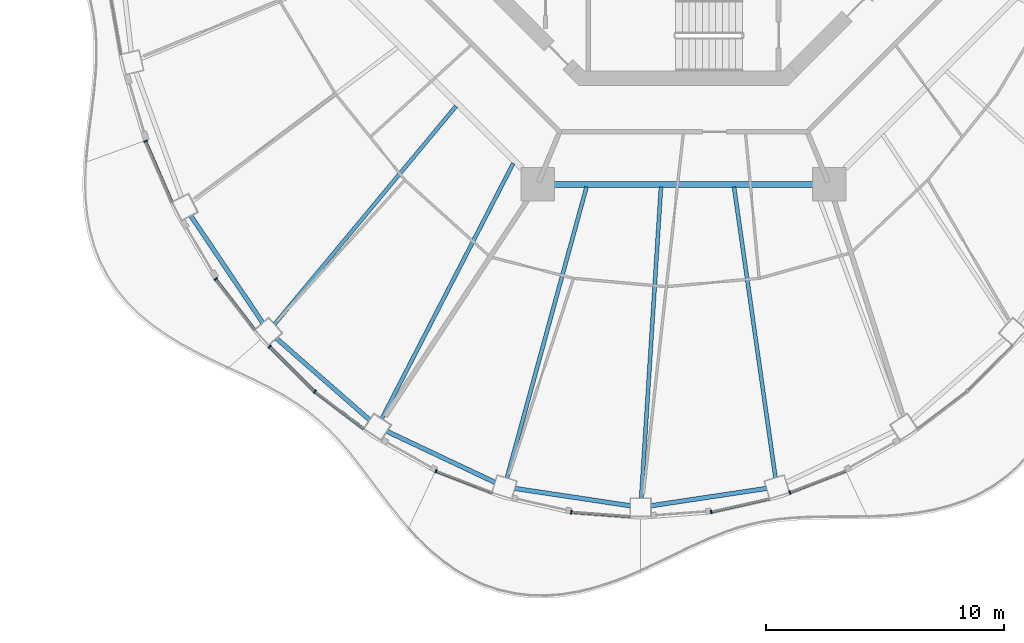
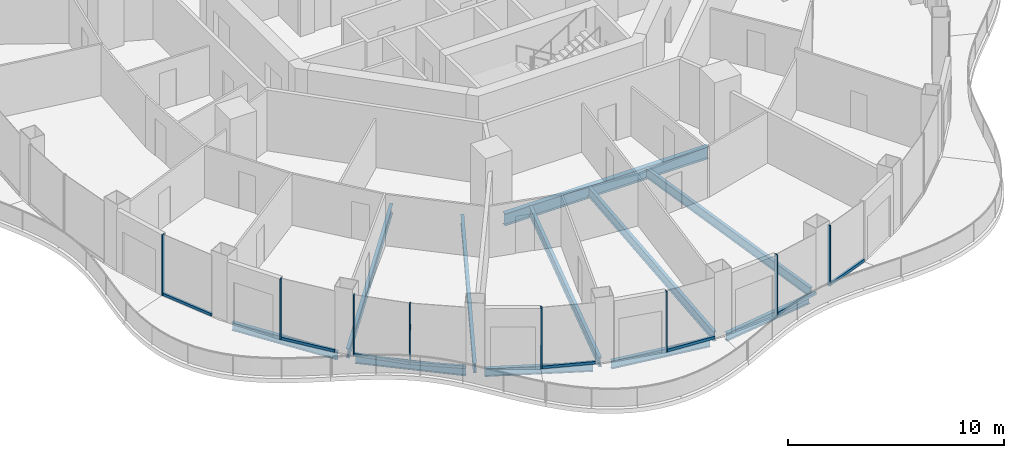
# One storey, part 2 of 17: 16 members, 11 beams, 8 elements without a shape of their own.
"""IFC4 building model written with IfcOpenShell, lengths in metres."""

import ifcopenshell
import ifcopenshell.guid

model = None  # the IFC model being written
_history = None  # IfcOwnerHistory: only IFC2X3 demands one
_inside = {}  # id of a spatial element -> (the spatial element, [elements in it])
_under = {}  # id of a project, library or spatial element -> (it, [spatial elements below it])
_declared = {}  # id of a project -> (the project, [libraries it declares])
_typed = {}  # id of a type object -> (the type object, [elements of that type])
_made_of = {}  # id of a material, layer set ... -> (it, [elements and type objects made of it])


def new_model(schema):
    """Start an empty IFC model of exactly this schema.

    Asked for "IFC4X3", IfcOpenShell would pick the latest addendum, in which some entities
    have other attributes; the version numbers below select the first issue.
    IFC2X3 requires an IfcOwnerHistory on every rooted entity: one is made here for all.
    """
    global model, _history
    if schema == "IFC4X3":
        model = ifcopenshell.file(schema_version=(4, 3, 0, 0))
    else:
        model = ifcopenshell.file(schema=schema)
    _inside.clear()
    _under.clear()
    _declared.clear()
    _typed.clear()
    _made_of.clear()
    _history = None
    if model.schema == "IFC2X3":
        org = make("IfcOrganization", Name="unknown")
        user = make(
            "IfcPersonAndOrganization",
            ThePerson=make("IfcPerson", FamilyName="unknown"),
            TheOrganization=org,
        )
        app = make(
            "IfcApplication",
            ApplicationDeveloper=org,
            Version="unknown",
            ApplicationFullName="unknown",
            ApplicationIdentifier="unknown",
        )
        _history = make(
            "IfcOwnerHistory",
            OwningUser=user,
            OwningApplication=app,
            ChangeAction="ADDED",
            CreationDate=0,
        )
    return model


def make(cls, **values):
    """One entity of the class cls with the attributes given. An attribute that is None is left unset."""
    return model.create_entity(
        cls, **{name: value for name, value in values.items() if value is not None}
    )


def rooted(cls, **values):
    """An entity with a GlobalId (a new one), such as an element, a storey or a relation."""
    return make(cls, GlobalId=ifcopenshell.guid.new(), OwnerHistory=_history, **values)


def si_unit(unit_type, name, prefix=None):
    """IfcSIUnit, for example si_unit("LENGTHUNIT", "METRE", prefix="MILLI")."""
    return make("IfcSIUnit", UnitType=unit_type, Prefix=prefix, Name=name)


def assignment(units):
    """IfcUnitAssignment: the units of a project."""
    return None if units is None else make("IfcUnitAssignment", Units=units)


def point(xyz):
    """IfcCartesianPoint."""
    return None if xyz is None else make("IfcCartesianPoint", Coordinates=xyz)


def direction(xyz):
    """IfcDirection."""
    return None if xyz is None else make("IfcDirection", DirectionRatios=xyz)


def frame(location, z_axis=None, x_axis=None):
    """IfcAxis2Placement3D, a coordinate frame: its origin and axes. An axis left out is left unset."""
    return make(
        "IfcAxis2Placement3D",
        Location=point(location),
        Axis=direction(z_axis),
        RefDirection=direction(x_axis),
    )


def frame_2d(location, x_axis=None):
    """IfcAxis2Placement2D, a coordinate frame in the plane: its origin and x axis."""
    return make(
        "IfcAxis2Placement2D", Location=point(location), RefDirection=direction(x_axis)
    )


def origin():
    """The frame at (0, 0, 0) with its axes left unset."""
    return frame((0.0, 0.0, 0.0))


def origin_2d():
    """The frame at (0, 0) in the plane with its x axis left unset."""
    return frame_2d((0.0, 0.0))


def place(relative_to, where):
    """IfcLocalPlacement: puts the frame where relative to a parent placement (None: the world)."""
    return make(
        "IfcLocalPlacement", PlacementRelTo=relative_to, RelativePlacement=where
    )


def context(
    kind, dimensions, precision=None, world=None, true_north=None, identifier=None
):
    """IfcGeometricRepresentationContext, for example the 3D "Model" context."""
    return make(
        "IfcGeometricRepresentationContext",
        ContextIdentifier=identifier,
        ContextType=kind,
        CoordinateSpaceDimension=dimensions,
        Precision=precision,
        WorldCoordinateSystem=world,
        TrueNorth=true_north,
    )


def subcontext(parent, identifier, kind, view, scale=None):
    """IfcGeometricRepresentationSubContext, for example "Body" below "Model"."""
    return make(
        "IfcGeometricRepresentationSubContext",
        ContextIdentifier=identifier,
        ContextType=kind,
        ParentContext=parent,
        TargetScale=scale,
        TargetView=view,
    )


def project(units=None, contexts=None):
    """IfcProject with its units and contexts."""
    return rooted(
        "IfcProject",
        Name="project",
        RepresentationContexts=contexts,
        UnitsInContext=assignment(units),
    )


def spatial(cls, under=None, at=None, **own):
    """A site, building, storey or space (cls), placed at a placement, below another one or the project."""
    s = rooted(cls, ObjectPlacement=at, **own)
    if under is not None:
        _under.setdefault(under.id(), (under, []))[1].append(s)
    return s


def profile(cls, at=None, kind="AREA", **sizes):
    """A parametric profile (cls). Its sizes go by their IFC names, for example OverallWidth=200.0."""
    return make(cls, ProfileType=kind, Position=at, **sizes)


def rectangle(**sizes):
    """IfcRectangleProfileDef."""
    return profile("IfcRectangleProfileDef", **sizes)


def i_section(**sizes):
    """IfcIShapeProfileDef."""
    return profile("IfcIShapeProfileDef", **sizes)


def extrude(swept, where, along, depth):
    """IfcExtrudedAreaSolid: the profile swept, set in the frame where, extruded along a direction by depth."""
    return make(
        "IfcExtrudedAreaSolid",
        SweptArea=swept,
        Position=where,
        ExtrudedDirection=direction(along),
        Depth=depth,
    )


def shape(context_of_items, identifier, shape_type, items):
    """IfcShapeRepresentation: the items that make up one representation, for example the "Body"."""
    return make(
        "IfcShapeRepresentation",
        ContextOfItems=context_of_items,
        RepresentationIdentifier=identifier,
        RepresentationType=shape_type,
        Items=items,
    )


def material(Name=None, Category=None):
    """IfcMaterial."""
    return make("IfcMaterial", Name=Name, Category=Category)


def layer(
    of_material, thickness, ventilated=None, Name=None, Category=None, Priority=None
):
    """IfcMaterialLayer: one layer of a wall or slab, of a material (None: an air gap)."""
    return make(
        "IfcMaterialLayer",
        Material=of_material,
        LayerThickness=thickness,
        IsVentilated=ventilated,
        Name=Name,
        Category=Category,
        Priority=Priority,
    )


def layer_set(layers, Name=None):
    """IfcMaterialLayerSet."""
    return make("IfcMaterialLayerSet", MaterialLayers=layers, LayerSetName=Name)


def material_profile(
    of_material, cross_section, Name=None, Category=None, Priority=None
):
    """IfcMaterialProfile: a cross section and its material."""
    return make(
        "IfcMaterialProfile",
        Name=Name,
        Material=of_material,
        Profile=cross_section,
        Priority=Priority,
        Category=Category,
    )


def profile_set(profiles, Name=None, composite=None):
    """IfcMaterialProfileSet."""
    return make(
        "IfcMaterialProfileSet",
        Name=Name,
        MaterialProfiles=profiles,
        CompositeProfile=composite,
    )


def made_of(thing, what):
    """Note that an element or type object is made of a material, layer set ...; save() writes the relation."""
    if what is not None:
        _made_of.setdefault(what.id(), (what, []))[1].append(thing)
    return thing


def type_object(cls, material=None, **own):
    """A type object (cls), such as IfcWallType, which elements share."""
    return made_of(rooted(cls, **own), material)


def element(
    cls,
    number,
    at=None,
    inside=None,
    cuts=None,
    type_object=None,
    material=None,
    context=None,
    identifier="Body",
    shape_type=None,
    held_by="IfcProductDefinitionShape",
    body=None,
    shapes=None,
    **own,
):
    """One element of the class cls, such as IfcWall. Its Tag is "e" and its number.

    at: its placement. inside: the storey or other place that contains it. cuts: it is an
    opening in that element (IfcRelVoidsElement). A single representation is given by context,
    identifier, shape_type and body (its items); several are given by shapes. held_by: the class
    of the entity that holds the representations. save() writes the other relations.
    """
    e = rooted(cls, Tag="e%d" % number, ObjectPlacement=at, **own)
    if body is not None:
        shapes = [shape(context, identifier, shape_type, body)]
    if shapes is not None:
        e.Representation = make(held_by, Representations=shapes)
    if inside is not None:
        _inside.setdefault(inside.id(), (inside, []))[1].append(e)
    if cuts is not None:
        rooted(
            "IfcRelVoidsElement", RelatingBuildingElement=cuts, RelatedOpeningElement=e
        )
    if type_object is not None:
        _typed.setdefault(type_object.id(), (type_object, []))[1].append(e)
    return made_of(e, material)


def aggregate(whole, parts):
    """IfcRelAggregates: a whole, such as a stair, and the parts it consists of."""
    return rooted("IfcRelAggregates", RelatingObject=whole, RelatedObjects=parts)


def save(model, path):
    """Write the relations noted so far, then the file.

    IfcRelAggregates (storeys below a building ...), IfcRelContainedInSpatialStructure (elements
    in a storey), IfcRelDefinesByType, IfcRelAssociatesMaterial and IfcRelDeclares: one each for
    every whole, place, type object, material and project.
    """
    for whole, parts in _under.values():
        aggregate(whole, parts)
    for where, things in _inside.values():
        rooted(
            "IfcRelContainedInSpatialStructure",
            RelatedElements=things,
            RelatingStructure=where,
        )
    for kind, things in _typed.values():
        rooted("IfcRelDefinesByType", RelatedObjects=things, RelatingType=kind)
    for what, things in _made_of.values():
        rooted("IfcRelAssociatesMaterial", RelatedObjects=things, RelatingMaterial=what)
    for by, libraries in _declared.values():
        rooted("IfcRelDeclares", RelatingContext=by, RelatedDefinitions=libraries)
    model.write(path)


model = new_model("IFC4")

# Units and contexts
model_context = context("Model", 3, precision=1e-05, world=origin(), true_north=direction((0.0, 1.0)))
body_context = subcontext(model_context, "Body", "Model", "MODEL_VIEW")
ifc_project = project(units=[si_unit("LENGTHUNIT", "METRE"), si_unit("AREAUNIT", "SQUARE_METRE"), si_unit("VOLUMEUNIT", "CUBIC_METRE"), si_unit("PLANEANGLEUNIT", "RADIAN"), si_unit("MASSUNIT", "GRAM", prefix="KILO")], contexts=[model_context])

# Site, building, storey
site_placement = place(None, origin())
site = spatial("IfcSite", under=ifc_project, at=site_placement, CompositionType="ELEMENT")
building_placement = place(site_placement, origin())
building = spatial("IfcBuilding", under=site, at=building_placement, Name="Nagisa Residences", CompositionType="ELEMENT")
storey_placement = place(building_placement, frame((0.0, 0.0, 269.60009765625)))
storey = spatial("IfcBuildingStorey", under=building, at=storey_placement, Name="L68", CompositionType="ELEMENT", Elevation=269.60009765625)

# Curtain wall, member
ifc_material_1 = material(Name="Concrete-coloured aluminium curtain wall system", Category="concrete")
ifc_layer = layer(ifc_material_1, 0.159912109375)
ifc_layer_set = layer_set([ifc_layer], Name="CW1 CURTAIN WALL")
curtain_wall_type = type_object("IfcCurtainWallType", Name="CW1 CURTAIN WALL", PredefinedType="NOTDEFINED", material=ifc_layer_set)
curtain_wall_1_placement = place(storey_placement, origin())
curtain_wall_1 = element("IfcCurtainWall", 1, at=curtain_wall_1_placement, inside=storey, type_object=curtain_wall_type, Name="cw:CW1:L68:27", PredefinedType="NOTDEFINED")
ifc_material_2 = material(Name="Concrete-coloured aluminium", Category="concrete")
ifc_material_profile_1 = material_profile(ifc_material_2, rectangle(XDim=0.159912109375, YDim=0.06005859375, at=origin_2d()), Name="CW1 MULLION 160x60")
ifc_profile_set_1 = profile_set([ifc_material_profile_1], Name="Concrete-coloured aluminium")
member_type_1 = type_object("IfcMemberType", Name="CW1 MULLION 160x60", PredefinedType="MULLION", material=ifc_profile_set_1)
member_1_placement = place(storey_placement, frame((-22.61279296875, -12.963623046875, 0.0), z_axis=(0.0, 0.0, 1.0), x_axis=(0.917543276295, 0.397635934147, 0.0)))
member_1 = element("IfcMember", 2, at=member_1_placement, type_object=member_type_1, Name="CW1 mullion", PredefinedType="MULLION", context=body_context, shape_type="SweptSolid", body=[
    extrude(rectangle(XDim=0.159912109375, YDim=0.06005859375, at=origin_2d()), origin(), (0.0, 0.0, 1.0), 3.43994140625),
])

curtain_wall_2_placement = place(storey_placement, origin())
curtain_wall_2 = element("IfcCurtainWall", 3, at=curtain_wall_2_placement, inside=storey, type_object=curtain_wall_type, Name="cw:CW1:L68:29", PredefinedType="NOTDEFINED")
member_2_placement = place(storey_placement, frame((-19.6640625, -18.76220703125, 0.0), z_axis=(0.0, 0.0, 1.0), x_axis=(0.792070340816, 0.610429828235, 0.0)))
member_2 = element("IfcMember", 4, at=member_2_placement, type_object=member_type_1, Name="CW1 mullion", PredefinedType="MULLION", context=body_context, shape_type="SweptSolid", body=[
    extrude(rectangle(XDim=0.159912109375, YDim=0.06005859375, at=origin_2d()), origin(), (0.0, 0.0, 1.0), 3.43994140625),
])

curtain_wall_3_placement = place(storey_placement, origin())
curtain_wall_3 = element("IfcCurtainWall", 5, at=curtain_wall_3_placement, inside=storey, type_object=curtain_wall_type, Name="cw:CW1:L68:30", PredefinedType="NOTDEFINED")
member_3_placement = place(storey_placement, frame((-17.3984375, -21.60107421875, 0.0), z_axis=(0.0, 0.0, 1.0), x_axis=(0.706376885714, 0.707835924016, 0.0)))
member_3 = element("IfcMember", 6, at=member_3_placement, type_object=member_type_1, Name="CW1 mullion", PredefinedType="MULLION", context=body_context, shape_type="SweptSolid", body=[
    extrude(rectangle(XDim=0.159912109375, YDim=0.06005859375, at=origin_2d()), origin(), (0.0, 0.0, 1.0), 3.43994140625),
])

curtain_wall_4_placement = place(storey_placement, origin())
curtain_wall_4 = element("IfcCurtainWall", 7, at=curtain_wall_4_placement, inside=storey, type_object=curtain_wall_type, Name="cw:CW1:L68:31", PredefinedType="NOTDEFINED")
member_4_placement = place(storey_placement, frame((-15.497802734375, -23.4931640625, 0.0), z_axis=(0.0, 0.0, 1.0), x_axis=(0.605255421737, 0.79603132756, 0.0)))
member_4 = element("IfcMember", 8, at=member_4_placement, type_object=member_type_1, Name="CW1 mullion", PredefinedType="MULLION", context=body_context, shape_type="SweptSolid", body=[
    extrude(rectangle(XDim=0.159912109375, YDim=0.06005859375, at=origin_2d()), origin(), (0.0, 0.0, 1.0), 3.43994140625),
])

curtain_wall_5_placement = place(storey_placement, origin())
curtain_wall_5 = element("IfcCurtainWall", 9, at=curtain_wall_5_placement, inside=storey, type_object=curtain_wall_type, Name="cw:CW1:L68:33", PredefinedType="NOTDEFINED")
member_5_placement = place(storey_placement, frame((-10.3994140625, -26.83447265625, 0.0), z_axis=(0.0, 0.0, 1.0), x_axis=(0.360327770268, 0.932825759707, 0.0)))
member_5 = element("IfcMember", 10, at=member_5_placement, type_object=member_type_1, Name="CW1 mullion", PredefinedType="MULLION", context=body_context, shape_type="SweptSolid", body=[
    extrude(rectangle(XDim=0.159912109375, YDim=0.06005859375, at=origin_2d()), origin(), (0.0, 0.0, 1.0), 3.43994140625),
])

curtain_wall_6_placement = place(storey_placement, origin())
curtain_wall_6 = element("IfcCurtainWall", 11, at=curtain_wall_6_placement, inside=storey, type_object=curtain_wall_type, Name="cw:CW1:L68:35", PredefinedType="NOTDEFINED")
member_6_placement = place(storey_placement, frame((-4.716552734375, -28.559814453125, 0.0), z_axis=(0.0, 0.0, 1.0), x_axis=(0.074377355493, 0.997230168512, 0.0)))
member_6 = element("IfcMember", 12, at=member_6_placement, type_object=member_type_1, Name="CW1 mullion", PredefinedType="MULLION", context=body_context, shape_type="SweptSolid", body=[
    extrude(rectangle(XDim=0.159912109375, YDim=0.06005859375, at=origin_2d()), origin(), (0.0, 0.0, 1.0), 3.43994140625),
])

curtain_wall_7_placement = place(storey_placement, origin())
curtain_wall_7 = element("IfcCurtainWall", 13, at=curtain_wall_7_placement, inside=storey, type_object=curtain_wall_type, Name="cw:CW1:L68:37", PredefinedType="NOTDEFINED")
member_7_placement = place(storey_placement, frame((1.1640625, -28.552734375, 0.0), z_axis=(0.0, 0.0, 1.0), x_axis=(-0.2207639201, 0.975327274089, 0.0)))
member_7 = element("IfcMember", 14, at=member_7_placement, type_object=member_type_1, Name="CW1 mullion", PredefinedType="MULLION", context=body_context, shape_type="SweptSolid", body=[
    extrude(rectangle(XDim=0.159912109375, YDim=0.06005859375, at=origin_2d()), origin(), (0.0, 0.0, 1.0), 3.43994140625),
])

curtain_wall_8_placement = place(storey_placement, origin())
curtain_wall_8 = element("IfcCurtainWall", 15, at=curtain_wall_8_placement, inside=storey, type_object=curtain_wall_type, Name="cw:CW1:L68:38", PredefinedType="NOTDEFINED")
member_8_placement = place(storey_placement, frame((4.473388671875, -27.733154296875, 0.0), z_axis=(0.0, 0.0, 1.0), x_axis=(-0.360327770268, 0.932825759707, 0.0)))
member_8 = element("IfcMember", 16, at=member_8_placement, type_object=member_type_1, Name="CW1 mullion", PredefinedType="MULLION", context=body_context, shape_type="SweptSolid", body=[
    extrude(rectangle(XDim=0.159912109375, YDim=0.06005859375, at=origin_2d()), origin(), (0.0, 0.0, 1.0), 3.43994140625),
])

# Member
ifc_material_3 = material(Name="Concrete-coloured aluminium", Category="concrete")
ifc_material_profile_2 = material_profile(ifc_material_3, rectangle(XDim=0.1201171875, YDim=0.14990234375, at=origin_2d()), Name="CW1 TRANSOM 120x150")
ifc_profile_set_2 = profile_set([ifc_material_profile_2], Name="Concrete-coloured aluminium")
member_type_2 = type_object("IfcMemberType", Name="CW1 TRANSOM 120x150", PredefinedType="USERDEFINED", material=ifc_profile_set_2)
member_9_placement = place(storey_placement, frame((-22.624755859375, -12.93603515625, 0.074951171875), z_axis=(0.397597791596, -0.9175598052, 0.0), x_axis=(0.9175598052, 0.397597791596, 0.0)))
member_9 = element("IfcMember", 17, at=member_9_placement, type_object=member_type_2, Name="CW1 transom", ObjectType="TRANSOM", PredefinedType="USERDEFINED", context=body_context, shape_type="SweptSolid", body=[
    extrude(rectangle(XDim=0.1201171875, YDim=0.14990234375, at=origin_2d()), origin(), (0.0, 0.0, 1.0), 2.841064453125),
])

aggregate(curtain_wall_1, [member_1, member_9])

member_10_placement = place(storey_placement, frame((-19.682373046875, -18.73828125, 0.074951171875), z_axis=(0.610432336622, -0.792068407656, 0.0), x_axis=(0.792068407656, 0.610432336622, 0.0)))
member_10 = element("IfcMember", 18, at=member_10_placement, type_object=member_type_2, Name="CW1 transom", ObjectType="TRANSOM", PredefinedType="USERDEFINED", context=body_context, shape_type="SweptSolid", body=[
    extrude(rectangle(XDim=0.1201171875, YDim=0.14990234375, at=origin_2d()), origin(), (0.0, 0.0, 1.0), 2.74609375),
])

aggregate(curtain_wall_2, [member_2, member_10])

member_11_placement = place(storey_placement, frame((-17.419677734375, -21.579833984375, 0.074951171875), z_axis=(0.707831739508, -0.706381078841, 0.0), x_axis=(0.706381078841, 0.707831739508, 0.0)))
member_11 = element("IfcMember", 19, at=member_11_placement, type_object=member_type_2, Name="CW1 transom", ObjectType="TRANSOM", PredefinedType="USERDEFINED", context=body_context, shape_type="SweptSolid", body=[
    extrude(rectangle(XDim=0.1201171875, YDim=0.14990234375, at=origin_2d()), origin(), (0.0, 0.0, 1.0), 2.692626953125),
])

aggregate(curtain_wall_3, [member_3, member_11])

member_12_placement = place(storey_placement, frame((-15.521728515625, -23.474853515625, 0.074951171875), z_axis=(0.796010739377, -0.605282498339, 0.0), x_axis=(0.605282498339, 0.796010739377, 0.0)))
member_12 = element("IfcMember", 20, at=member_12_placement, type_object=member_type_2, Name="CW1 transom", ObjectType="TRANSOM", PredefinedType="USERDEFINED", context=body_context, shape_type="SweptSolid", body=[
    extrude(rectangle(XDim=0.1201171875, YDim=0.14990234375, at=origin_2d()), origin(), (0.0, 0.0, 1.0), 2.640625),
])

aggregate(curtain_wall_4, [member_4, member_12])

member_13_placement = place(storey_placement, frame((-10.427490234375, -26.82373046875, 0.074951171875), z_axis=(0.93282223778, -0.360336887792, 0.0), x_axis=(0.360336887792, 0.93282223778, 0.0)))
member_13 = element("IfcMember", 21, at=member_13_placement, type_object=member_type_2, Name="CW1 transom", ObjectType="TRANSOM", PredefinedType="USERDEFINED", context=body_context, shape_type="SweptSolid", body=[
    extrude(rectangle(XDim=0.1201171875, YDim=0.14990234375, at=origin_2d()), origin(), (0.0, 0.0, 1.0), 2.5537109375),
])

aggregate(curtain_wall_5, [member_5, member_13])

member_14_placement = place(storey_placement, frame((-4.74658203125, -28.5576171875, 0.074951171875), z_axis=(0.99722914645, -0.074391057731, 0.0), x_axis=(0.074391057731, 0.99722914645, 0.0)))
member_14 = element("IfcMember", 22, at=member_14_placement, type_object=member_type_2, Name="CW1 transom", ObjectType="TRANSOM", PredefinedType="USERDEFINED", context=body_context, shape_type="SweptSolid", body=[
    extrude(rectangle(XDim=0.1201171875, YDim=0.14990234375, at=origin_2d()), origin(), (0.0, 0.0, 1.0), 2.510498046875),
])

aggregate(curtain_wall_6, [member_6, member_14])

member_15_placement = place(storey_placement, frame((1.134765625, -28.5595703125, 0.074951171875), z_axis=(0.975319584032, 0.220797891756, 0.0), x_axis=(-0.220797891756, 0.975319584032, 0.0)))
member_15 = element("IfcMember", 23, at=member_15_placement, type_object=member_type_2, Name="CW1 transom", ObjectType="TRANSOM", PredefinedType="USERDEFINED", context=body_context, shape_type="SweptSolid", body=[
    extrude(rectangle(XDim=0.1201171875, YDim=0.14990234375, at=origin_2d()), origin(), (0.0, 0.0, 1.0), 2.525390625),
])

aggregate(curtain_wall_7, [member_7, member_15])

member_16_placement = place(storey_placement, frame((4.4453125, -27.743896484375, 0.074951171875), z_axis=(0.93282223778, 0.360336887792, 0.0), x_axis=(-0.360336887792, 0.93282223778, 0.0)))
member_16 = element("IfcMember", 24, at=member_16_placement, type_object=member_type_2, Name="CW1 transom", ObjectType="TRANSOM", PredefinedType="USERDEFINED", context=body_context, shape_type="SweptSolid", body=[
    extrude(rectangle(XDim=0.1201171875, YDim=0.14990234375, at=origin_2d()), origin(), (0.0, 0.0, 1.0), 2.5537109375),
])

aggregate(curtain_wall_8, [member_8, member_16])

# Beams
ifc_material_4 = material(Name="Steel ASTM A572 Gr 50", Category="steel")
ifc_material_profile_3 = material_profile(ifc_material_4, i_section(OverallWidth=0.2529296875, OverallDepth=0.677978515625, WebThickness=0.01171875, FlangeThickness=0.016357421875, at=origin_2d()), Name="W690x125")
ifc_profile_set_3 = profile_set([ifc_material_profile_3], Name="Steel ASTM A572 Gr 50")
beam_type_1 = type_object("IfcBeamType", Name="Inner ring beam W690x125", PredefinedType="BEAM", material=ifc_profile_set_3)
beam_1_placement = place(storey_placement, frame((-5.44287109375, -14.781982421875, -0.59912109375), z_axis=(1.0, 0.0, 0.0), x_axis=(0.0, 1.0, 0.0)))
element("IfcBeam", 25, at=beam_1_placement, inside=storey, type_object=beam_type_1, Name="beam:L68:ib6", PredefinedType="BEAM", context=body_context, shape_type="SweptSolid", body=[
    extrude(i_section(OverallWidth=0.2529296875, OverallDepth=0.677978515625, WebThickness=0.01171875, FlangeThickness=0.016357421875, at=origin_2d()), origin(), (0.0, 0.0, 1.0), 10.8857421875),
])
ifc_material_5 = material(Name="Steel ASTM A572 Gr 50", Category="steel")
ifc_material_profile_4 = material_profile(ifc_material_5, i_section(OverallWidth=0.18994140625, OverallDepth=0.45703125, WebThickness=0.009033203125, FlangeThickness=0.014404296875, at=origin_2d()), Name="W460x74")
ifc_profile_set_4 = profile_set([ifc_material_profile_4], Name="Steel ASTM A572 Gr 50")
beam_type_2 = type_object("IfcBeamType", Name="Perimeter ring beam W460x74", PredefinedType="BEAM", material=ifc_profile_set_4)
beam_2_placement = place(storey_placement, frame((-20.714599609375, -16.097412109375, -0.488525390625), z_axis=(0.558014665254, -0.829831087247, 0.0), x_axis=(0.829831087247, 0.558014665254, 0.0)))
element("IfcBeam", 26, at=beam_2_placement, inside=storey, type_object=beam_type_2, Name="beam:L68:pb15", PredefinedType="BEAM", context=body_context, shape_type="SweptSolid", body=[
    extrude(i_section(OverallWidth=0.18994140625, OverallDepth=0.45703125, WebThickness=0.009033203125, FlangeThickness=0.014404296875, at=origin_2d()), origin(), (0.0, 0.0, 1.0), 5.43212890625),
])
beam_3_placement = place(storey_placement, frame((-17.11474609375, -21.2509765625, -0.488525390625), z_axis=(0.752365189148, -0.658746250204, 0.0), x_axis=(0.658746250204, 0.752365189148, 0.0)))
element("IfcBeam", 27, at=beam_3_placement, inside=storey, type_object=beam_type_2, Name="beam:L68:pb16", PredefinedType="BEAM", context=body_context, shape_type="SweptSolid", body=[
    extrude(i_section(OverallWidth=0.18994140625, OverallDepth=0.45703125, WebThickness=0.009033203125, FlangeThickness=0.014404296875, at=origin_2d()), origin(), (0.0, 0.0, 1.0), 5.220947265625),
])
beam_4_placement = place(storey_placement, frame((-12.46728515625, -25.161865234375, -0.488525390625), z_axis=(0.904115893837, -0.427287316113, 0.0), x_axis=(0.427287316113, 0.904115893837, 0.0)))
element("IfcBeam", 28, at=beam_4_placement, inside=storey, type_object=beam_type_2, Name="beam:L68:pb17", PredefinedType="BEAM", context=body_context, shape_type="SweptSolid", body=[
    extrude(i_section(OverallWidth=0.18994140625, OverallDepth=0.45703125, WebThickness=0.009033203125, FlangeThickness=0.014404296875, at=origin_2d()), origin(), (0.0, 0.0, 1.0), 5.031494140625),
])
beam_5_placement = place(storey_placement, frame((-7.094970703125, -27.562255859375, -0.488525390625), z_axis=(0.98890648267, -0.148539451101, 0.0), x_axis=(0.148539451101, 0.98890648267, 0.0)))
element("IfcBeam", 29, at=beam_5_placement, inside=storey, type_object=beam_type_2, Name="beam:L68:pb18", PredefinedType="BEAM", context=body_context, shape_type="SweptSolid", body=[
    extrude(i_section(OverallWidth=0.18994140625, OverallDepth=0.45703125, WebThickness=0.009033203125, FlangeThickness=0.014404296875, at=origin_2d()), origin(), (0.0, 0.0, 1.0), 4.91943359375),
])
beam_6_placement = place(storey_placement, frame((-1.369873046875, -28.29296875, -0.488525390625), z_axis=(0.988907577601, 0.148532161377, 0.0), x_axis=(-0.148532161377, 0.988907577601, 0.0)))
element("IfcBeam", 30, at=beam_6_placement, inside=storey, type_object=beam_type_2, Name="beam:L68:pb19", PredefinedType="BEAM", context=body_context, shape_type="SweptSolid", body=[
    extrude(i_section(OverallWidth=0.18994140625, OverallDepth=0.45703125, WebThickness=0.009033203125, FlangeThickness=0.014404296875, at=origin_2d()), origin(), (0.0, 0.0, 1.0), 4.919677734375),
])
ifc_material_6 = material(Name="Steel ASTM A572 Gr 50", Category="steel")
ifc_material_profile_5 = material_profile(ifc_material_6, i_section(OverallWidth=0.166015625, OverallDepth=0.534912109375, WebThickness=0.01025390625, FlangeThickness=0.0166015625, at=origin_2d()), Name="W530x85")
ifc_profile_set_5 = profile_set([ifc_material_profile_5], Name="Steel ASTM A572 Gr 50")
beam_type_3 = type_object("IfcBeamType", Name="Radial beam W530x85", PredefinedType="BEAM", material=ifc_profile_set_5)
beam_7_placement = place(storey_placement, frame((-17.195068359375, -20.669189453125, -0.527587890625), z_axis=(0.639540330466, 0.768757546764, 0.0), x_axis=(-0.768757546764, 0.639540330466, 0.0)))
element("IfcBeam", 31, at=beam_7_placement, inside=storey, type_object=beam_type_3, Name="beam:L68:rb16", PredefinedType="BEAM", context=body_context, shape_type="SweptSolid", body=[
    extrude(i_section(OverallWidth=0.166015625, OverallDepth=0.534912109375, WebThickness=0.01025390625, FlangeThickness=0.0166015625, at=origin_2d()), origin(), (0.0, 0.0, 1.0), 11.935302734375),
])
beam_8_placement = place(storey_placement, frame((-12.68505859375, -24.63623046875, -0.527587890625), z_axis=(0.457775990682, 0.88906756906, 0.0), x_axis=(-0.88906756906, 0.457775990682, 0.0)))
element("IfcBeam", 32, at=beam_8_placement, inside=storey, type_object=beam_type_3, Name="beam:L68:rb17", PredefinedType="BEAM", context=body_context, shape_type="SweptSolid", body=[
    extrude(i_section(OverallWidth=0.166015625, OverallDepth=0.534912109375, WebThickness=0.01025390625, FlangeThickness=0.0166015625, at=origin_2d()), origin(), (0.0, 0.0, 1.0), 12.075927734375),
])
beam_9_placement = place(storey_placement, frame((-7.4248046875, -27.130859375, -0.527587890625), z_axis=(0.263957181957, 0.964534398606, 0.0), x_axis=(-0.964534398606, 0.263957181957, 0.0)))
element("IfcBeam", 33, at=beam_9_placement, inside=storey, type_object=beam_type_3, Name="beam:L68:rb18", PredefinedType="BEAM", context=body_context, shape_type="SweptSolid", body=[
    extrude(i_section(OverallWidth=0.166015625, OverallDepth=0.534912109375, WebThickness=0.01025390625, FlangeThickness=0.0166015625, at=origin_2d()), origin(), (0.0, 0.0, 1.0), 12.69189453125),
])
beam_10_placement = place(storey_placement, frame((-1.77587890625, -27.9775390625, -0.527587890625), z_axis=(0.06334711, 0.997991554901, 0.0), x_axis=(-0.997991554901, 0.06334711, 0.0)))
element("IfcBeam", 34, at=beam_10_placement, inside=storey, type_object=beam_type_3, Name="beam:L68:rb19", PredefinedType="BEAM", context=body_context, shape_type="SweptSolid", body=[
    extrude(i_section(OverallWidth=0.166015625, OverallDepth=0.534912109375, WebThickness=0.01025390625, FlangeThickness=0.0166015625, at=origin_2d()), origin(), (0.0, 0.0, 1.0), 13.115234375),
])
beam_11_placement = place(storey_placement, frame((3.87060546875, -27.11669921875, -0.527587890625), z_axis=(-0.141302367909, 0.989966484697, 0.0), x_axis=(-0.989966484697, -0.141302367909, 0.0)))
element("IfcBeam", 35, at=beam_11_placement, inside=storey, type_object=beam_type_3, Name="beam:L68:rb20", PredefinedType="BEAM", context=body_context, shape_type="SweptSolid", body=[
    extrude(i_section(OverallWidth=0.166015625, OverallDepth=0.534912109375, WebThickness=0.01025390625, FlangeThickness=0.0166015625, at=origin_2d()), origin(), (0.0, 0.0, 1.0), 12.35205078125),
])

save(model, "model.ifc")
